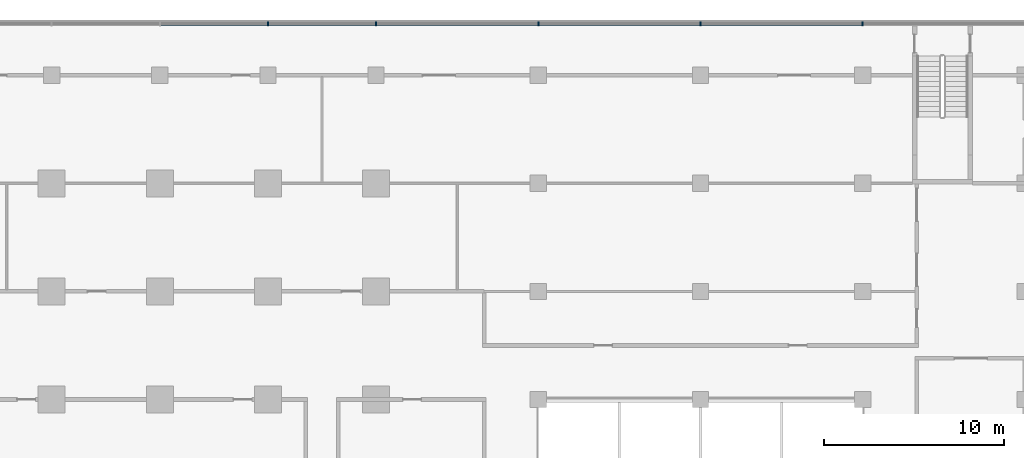
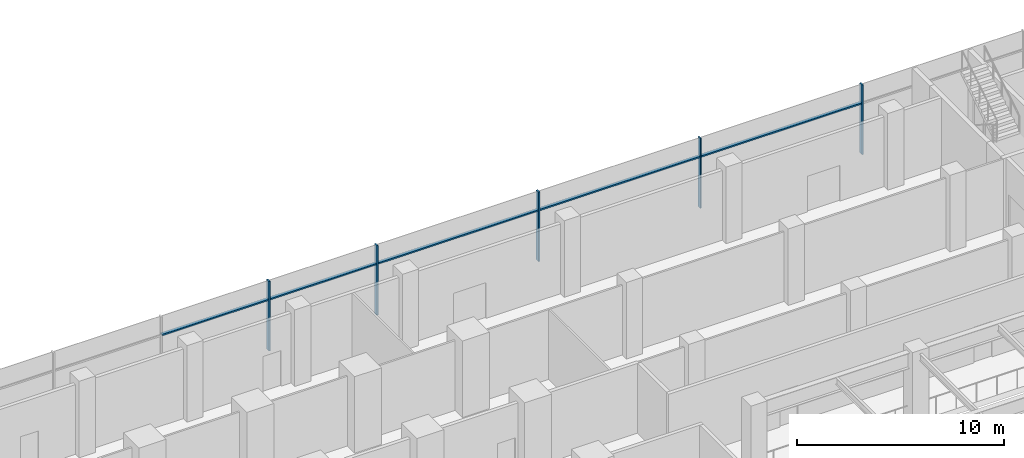
# One storey, part 8 of 22: 10 members, 1 element without a shape of its own.
"""IFC4 building model written with IfcOpenShell, lengths in metres."""

from ifc_helpers import new_model, si_unit, direction, frame, origin, origin_2d, place, context, subcontext, project, spatial, rectangle, extrude, material, material_profile, profile_set, type_object, element, aggregate, save


model = new_model("IFC4")

# Units and contexts
model_context = context("Model", 3, precision=1e-05, world=origin(), true_north=direction((0.0, 1.0)))
body_context = subcontext(model_context, "Body", "Model", "MODEL_VIEW")
ifc_project = project(units=[si_unit("LENGTHUNIT", "METRE"), si_unit("AREAUNIT", "SQUARE_METRE"), si_unit("VOLUMEUNIT", "CUBIC_METRE"), si_unit("PLANEANGLEUNIT", "RADIAN"), si_unit("MASSUNIT", "GRAM", prefix="KILO")], contexts=[model_context])

# Site, building, storey
site_placement = place(None, origin())
site = spatial("IfcSite", under=ifc_project, at=site_placement, CompositionType="ELEMENT")
building_placement = place(site_placement, origin())
building = spatial("IfcBuilding", under=site, at=building_placement, Name="Finial Court Residences", CompositionType="ELEMENT")
storey_placement = place(building_placement, frame((0.0, 0.0, 28.0)))
storey = spatial("IfcBuildingStorey", under=building, at=storey_placement, Name="L05", CompositionType="ELEMENT", Elevation=28.0)

# Curtain wall, members
ifc_material = material(Name="Bronze anodised aluminium", Category="aluminium")
curtain_wall_type = type_object("IfcCurtainWallType", Name="Podium curtain wall", PredefinedType="NOTDEFINED", material=ifc_material)
curtain_wall_placement = place(storey_placement, origin())
curtain_wall = element("IfcCurtainWall", 1, at=curtain_wall_placement, inside=storey, type_object=curtain_wall_type, Name="E-L05-CW-N1", PredefinedType="NOTDEFINED")
ifc_material_profile_1 = material_profile(ifc_material, rectangle(XDim=0.22509765625, YDim=0.080078125, at=origin_2d()), Name="CW5 mullion 80 x 225")
ifc_profile_set_1 = profile_set([ifc_material_profile_1], Name="Bronze anodised aluminium")
member_type_1 = type_object("IfcMemberType", Name="CW5 mullion 80 x 225", PredefinedType="MULLION", material=ifc_profile_set_1)
member_1_placement = place(storey_placement, frame((16.5, 34.35009765625, 0.0), z_axis=(0.0, 0.0, 1.0), x_axis=(0.0, 1.0, 0.0)))
member_1 = element("IfcMember", 2, at=member_1_placement, type_object=member_type_1, Name="CW5 mullion 9", PredefinedType="MULLION", context=body_context, shape_type="SweptSolid", body=[
    extrude(rectangle(XDim=0.22509765625, YDim=0.080078125, at=origin_2d()), origin(), (0.0, 0.0, 1.0), 4.10009765625),
])
member_2_placement = place(storey_placement, frame((22.5, 34.35009765625, 0.0), z_axis=(0.0, 0.0, 1.0), x_axis=(0.0, 1.0, 0.0)))
member_2 = element("IfcMember", 3, at=member_2_placement, type_object=member_type_1, Name="CW5 mullion 10", PredefinedType="MULLION", context=body_context, shape_type="SweptSolid", body=[
    extrude(rectangle(XDim=0.22509765625, YDim=0.080078125, at=origin_2d()), origin(), (0.0, 0.0, 1.0), 4.10009765625),
])
member_3_placement = place(storey_placement, frame((31.5, 34.35009765625, 0.0), z_axis=(0.0, 0.0, 1.0), x_axis=(0.0, 1.0, 0.0)))
member_3 = element("IfcMember", 4, at=member_3_placement, type_object=member_type_1, Name="CW5 mullion 11", PredefinedType="MULLION", context=body_context, shape_type="SweptSolid", body=[
    extrude(rectangle(XDim=0.22509765625, YDim=0.080078125, at=origin_2d()), origin(), (0.0, 0.0, 1.0), 4.10009765625),
])
member_4_placement = place(storey_placement, frame((40.5, 34.35009765625, 0.0), z_axis=(0.0, 0.0, 1.0), x_axis=(0.0, 1.0, 0.0)))
member_4 = element("IfcMember", 5, at=member_4_placement, type_object=member_type_1, Name="CW5 mullion 12", PredefinedType="MULLION", context=body_context, shape_type="SweptSolid", body=[
    extrude(rectangle(XDim=0.22509765625, YDim=0.080078125, at=origin_2d()), origin(), (0.0, 0.0, 1.0), 4.10009765625),
])
member_5_placement = place(storey_placement, frame((49.5, 34.35009765625, 0.0), z_axis=(0.0, 0.0, 1.0), x_axis=(0.0, 1.0, 0.0)))
member_5 = element("IfcMember", 6, at=member_5_placement, type_object=member_type_1, Name="CW5 mullion 13", PredefinedType="MULLION", context=body_context, shape_type="SweptSolid", body=[
    extrude(rectangle(XDim=0.22509765625, YDim=0.080078125, at=origin_2d()), origin(), (0.0, 0.0, 1.0), 4.10009765625),
])
ifc_material_profile_2 = material_profile(ifc_material, rectangle(XDim=0.175048828125, YDim=0.080078125, at=origin_2d()), Name="CW5 transom 80 x 175")
ifc_profile_set_2 = profile_set([ifc_material_profile_2], Name="Bronze anodised aluminium")
member_type_2 = type_object("IfcMemberType", Name="CW5 transom 80 x 175", PredefinedType="USERDEFINED", material=ifc_profile_set_2)
member_6_placement = place(storey_placement, frame((10.5400390625, 34.35009765625, 3.0), z_axis=(1.0, 0.0, 0.0), x_axis=(0.0, 1.0, 0.0)))
member_6 = element("IfcMember", 7, at=member_6_placement, type_object=member_type_2, Name="CW5 transom 8.1", ObjectType="TRANSOM", PredefinedType="USERDEFINED", context=body_context, shape_type="SweptSolid", body=[
    extrude(rectangle(XDim=0.175048828125, YDim=0.080078125, at=origin_2d()), origin(), (0.0, 0.0, 1.0), 5.919921875),
])
member_7_placement = place(storey_placement, frame((16.5400390625, 34.35009765625, 3.0), z_axis=(1.0, 0.0, 0.0), x_axis=(0.0, 1.0, 0.0)))
member_7 = element("IfcMember", 8, at=member_7_placement, type_object=member_type_2, Name="CW5 transom 9.1", ObjectType="TRANSOM", PredefinedType="USERDEFINED", context=body_context, shape_type="SweptSolid", body=[
    extrude(rectangle(XDim=0.175048828125, YDim=0.080078125, at=origin_2d()), origin(), (0.0, 0.0, 1.0), 5.919921875),
])
member_8_placement = place(storey_placement, frame((22.5400390625, 34.35009765625, 3.0), z_axis=(1.0, 0.0, 0.0), x_axis=(0.0, 1.0, 0.0)))
member_8 = element("IfcMember", 9, at=member_8_placement, type_object=member_type_2, Name="CW5 transom 10.1", ObjectType="TRANSOM", PredefinedType="USERDEFINED", context=body_context, shape_type="SweptSolid", body=[
    extrude(rectangle(XDim=0.175048828125, YDim=0.080078125, at=origin_2d()), origin(), (0.0, 0.0, 1.0), 8.919921875),
])
member_9_placement = place(storey_placement, frame((31.5400390625, 34.35009765625, 3.0), z_axis=(1.0, 0.0, 0.0), x_axis=(0.0, 1.0, 0.0)))
member_9 = element("IfcMember", 10, at=member_9_placement, type_object=member_type_2, Name="CW5 transom 11.1", ObjectType="TRANSOM", PredefinedType="USERDEFINED", context=body_context, shape_type="SweptSolid", body=[
    extrude(rectangle(XDim=0.175048828125, YDim=0.080078125, at=origin_2d()), origin(), (0.0, 0.0, 1.0), 8.919921875),
])
member_10_placement = place(storey_placement, frame((40.5400390625, 34.35009765625, 3.0), z_axis=(1.0, 0.0, 0.0), x_axis=(0.0, 1.0, 0.0)))
member_10 = element("IfcMember", 11, at=member_10_placement, type_object=member_type_2, Name="CW5 transom 12.1", ObjectType="TRANSOM", PredefinedType="USERDEFINED", context=body_context, shape_type="SweptSolid", body=[
    extrude(rectangle(XDim=0.175048828125, YDim=0.080078125, at=origin_2d()), origin(), (0.0, 0.0, 1.0), 8.919921875),
])
aggregate(curtain_wall, [member_1, member_2, member_3, member_4, member_5, member_6, member_7, member_8, member_9, member_10])

save(model, "model.ifc")
